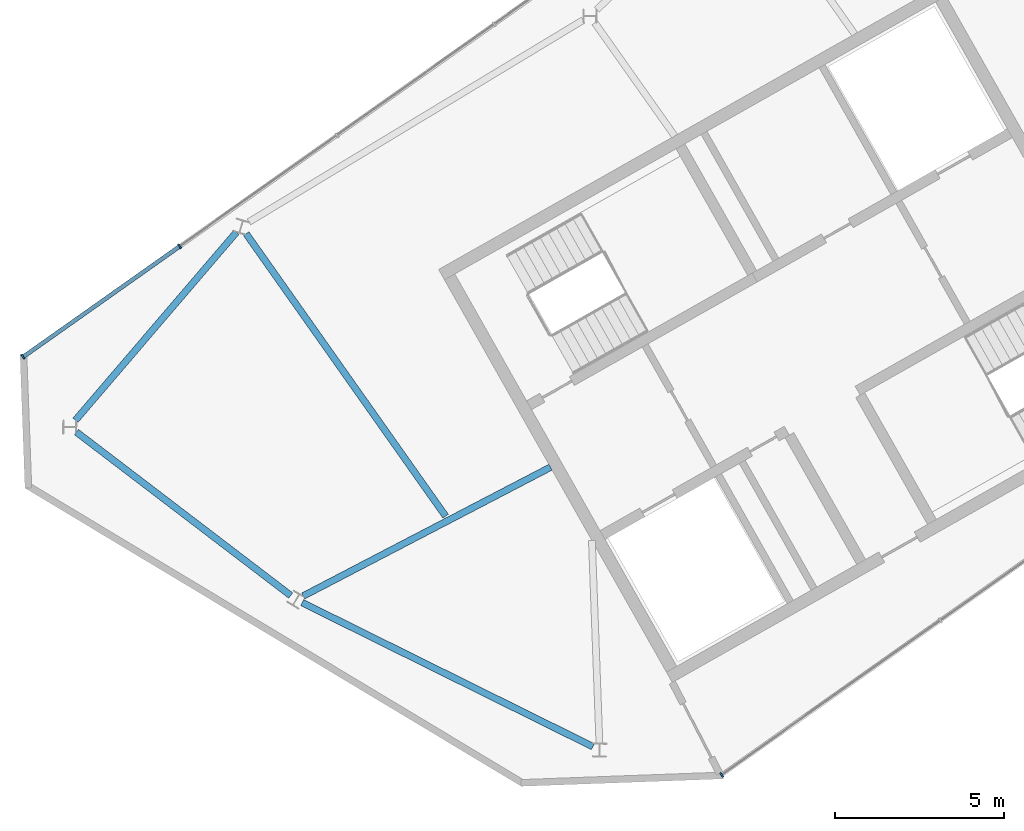
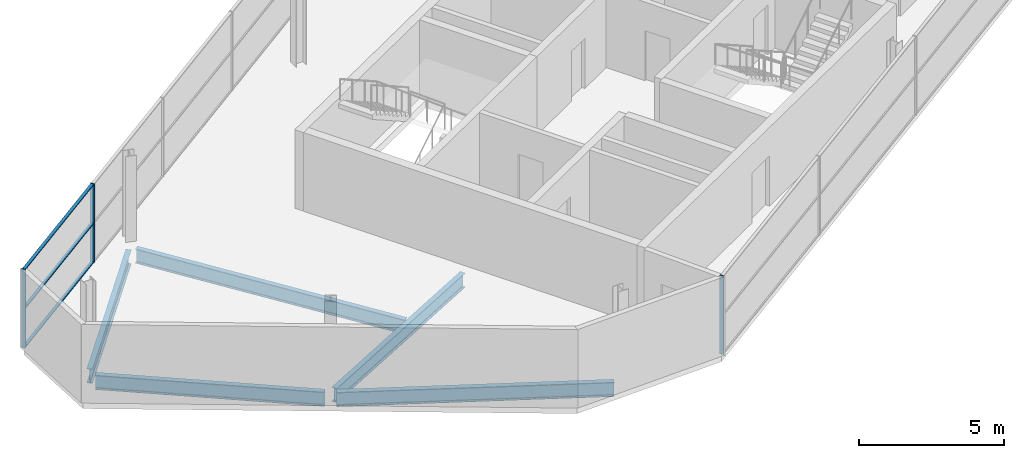
# One storey, part 3 of 10: 6 members, 5 beams, 2 elements without a shape of their own.
"""IFC4 building model written with IfcOpenShell, lengths in metres."""

from ifc_helpers import new_model, si_unit, direction, frame, origin, origin_2d, place, context, subcontext, project, spatial, rectangle, i_section, extrude, material, material_profile, profile_set, type_object, element, aggregate, save


model = new_model("IFC4")

# Units and contexts
model_context = context("Model", 3, precision=1e-05, world=origin(), true_north=direction((0.0, 1.0)))
body_context = subcontext(model_context, "Body", "Model", "MODEL_VIEW")
ifc_project = project(units=[si_unit("LENGTHUNIT", "METRE"), si_unit("AREAUNIT", "SQUARE_METRE"), si_unit("VOLUMEUNIT", "CUBIC_METRE"), si_unit("PLANEANGLEUNIT", "RADIAN"), si_unit("MASSUNIT", "GRAM", prefix="KILO")], contexts=[model_context])

# Site, building, storey
site_placement = place(None, origin())
site = spatial("IfcSite", under=ifc_project, at=site_placement, CompositionType="ELEMENT")
building_placement = place(site_placement, origin())
building = spatial("IfcBuilding", under=site, at=building_placement, Name="Binnacle Exchange Tower", CompositionType="ELEMENT")
storey_placement = place(building_placement, frame((0.0, 0.0, 364.89990234375)))
storey = spatial("IfcBuildingStorey", under=building, at=storey_placement, Name="L84", CompositionType="ELEMENT", Elevation=364.89990234375)

# Curtain wall, members
ifc_material_1 = material(Name="Bronze anodised aluminium frame", Category="aluminium")
curtain_wall_type = type_object("IfcCurtainWallType", Name="External wall - curtain wall crown top", PredefinedType="NOTDEFINED", material=ifc_material_1)
curtain_wall_1_placement = place(storey_placement, origin())
curtain_wall_1 = element("IfcCurtainWall", 1, at=curtain_wall_1_placement, inside=storey, type_object=curtain_wall_type, Name="External wall curtain wall CW6-C303 L84", PredefinedType="NOTDEFINED")
ifc_material_profile_1 = material_profile(ifc_material_1, rectangle(XDim=0.14990234375, YDim=0.050048828125, at=origin_2d()), Name="AL 50x150")
ifc_profile_set_1 = profile_set([ifc_material_profile_1], Name="Bronze anodised aluminium frame")
member_type_1 = type_object("IfcMemberType", Name="CW6 MULLION 50x150", PredefinedType="MULLION", material=ifc_profile_set_1)
member_1_placement = place(storey_placement, frame((-54.24853515625, 42.356201171875, 0.0), z_axis=(0.0, 0.0, 1.0), x_axis=(0.576854127285, -0.816847180221, 0.0)))
member_1 = element("IfcMember", 2, at=member_1_placement, type_object=member_type_1, Name="CW6-C303 mullion 9", PredefinedType="MULLION", context=body_context, shape_type="SweptSolid", body=[
    extrude(rectangle(XDim=0.14990234375, YDim=0.050048828125, at=origin_2d()), origin(), (0.0, 0.0, 1.0), 3.300048828125),
])
member_2_placement = place(storey_placement, frame((-58.86767578125, 39.09423828125, 0.0), z_axis=(0.0, 0.0, 1.0), x_axis=(0.576854127285, -0.816847180221, 0.0)))
member_2 = element("IfcMember", 3, at=member_2_placement, type_object=member_type_1, Name="CW6-C303 mullion 10", PredefinedType="MULLION", context=body_context, shape_type="SweptSolid", body=[
    extrude(rectangle(XDim=0.14990234375, YDim=0.050048828125, at=origin_2d()), origin(), (0.0, 0.0, 1.0), 3.300048828125),
])

# Curtain wall, member
curtain_wall_2_placement = place(storey_placement, origin())
curtain_wall_2 = element("IfcCurtainWall", 4, at=curtain_wall_2_placement, inside=storey, type_object=curtain_wall_type, Name="External wall curtain wall CW6-C307 L84", PredefinedType="NOTDEFINED")
member_3_placement = place(storey_placement, frame((-38.257568359375, 26.76025390625, 0.0), z_axis=(0.0, 0.0, 1.0), x_axis=(-0.576854127285, 0.816847180221, 0.0)))
member_3 = element("IfcMember", 5, at=member_3_placement, type_object=member_type_1, Name="CW6-C307 mullion 1", PredefinedType="MULLION", context=body_context, shape_type="SweptSolid", body=[
    extrude(rectangle(XDim=0.14990234375, YDim=0.050048828125, at=origin_2d()), origin(), (0.0, 0.0, 1.0), 3.300048828125),
])
aggregate(curtain_wall_2, [member_3])

# Member
ifc_material_profile_2 = material_profile(ifc_material_1, rectangle(XDim=0.1201171875, YDim=0.0400390625, at=origin_2d()), Name="AL 120x40")
ifc_profile_set_2 = profile_set([ifc_material_profile_2], Name="Bronze anodised aluminium frame")
member_type_2 = type_object("IfcMemberType", Name="CW6 TRANSOM 40x120", PredefinedType="USERDEFINED", material=ifc_profile_set_2)
member_4_placement = place(storey_placement, frame((-54.26904296875, 42.341796875, 0.02001953125), z_axis=(-0.816838671532, -0.57686617572, 0.0), x_axis=(0.57686617572, -0.816838671532, 0.0)))
member_4 = element("IfcMember", 6, at=member_4_placement, type_object=member_type_2, Name="CW6-C303 transom 9.1", ObjectType="TRANSOM", PredefinedType="USERDEFINED", context=body_context, shape_type="SweptSolid", body=[
    extrude(rectangle(XDim=0.1201171875, YDim=0.0400390625, at=origin_2d()), origin(), (0.0, 0.0, 1.0), 5.604736328125),
])

member_5_placement = place(storey_placement, frame((-54.26904296875, 42.341796875, 1.650146484375), z_axis=(-0.816838671532, -0.57686617572, 0.0), x_axis=(0.57686617572, -0.816838671532, 0.0)))
member_5 = element("IfcMember", 7, at=member_5_placement, type_object=member_type_2, Name="CW6-C303 transom 9.2", ObjectType="TRANSOM", PredefinedType="USERDEFINED", context=body_context, shape_type="SweptSolid", body=[
    extrude(rectangle(XDim=0.1201171875, YDim=0.0400390625, at=origin_2d()), origin(), (0.0, 0.0, 1.0), 5.604736328125),
])

member_6_placement = place(storey_placement, frame((-54.26904296875, 42.341796875, 3.280029296875), z_axis=(-0.816838671532, -0.57686617572, 0.0), x_axis=(0.57686617572, -0.816838671532, 0.0)))
member_6 = element("IfcMember", 8, at=member_6_placement, type_object=member_type_2, Name="CW6-C303 transom 9.3", ObjectType="TRANSOM", PredefinedType="USERDEFINED", context=body_context, shape_type="SweptSolid", body=[
    extrude(rectangle(XDim=0.1201171875, YDim=0.0400390625, at=origin_2d()), origin(), (0.0, 0.0, 1.0), 5.604736328125),
])

aggregate(curtain_wall_1, [member_1, member_2, member_4, member_5, member_6])

# Beams
ifc_material_2 = material(Name="Steel S355 (SHN355)", Category="steel")
ifc_material_profile_3 = material_profile(ifc_material_2, i_section(OverallWidth=0.199951171875, OverallDepth=0.60009765625, WebThickness=0.010986328125, FlangeThickness=0.01708984375, FilletRadius=0.02197265625, at=origin_2d()), Name="H 600x200x11x17")
ifc_profile_set_3 = profile_set([ifc_material_profile_3], Name="Steel S355 (SHN355)")
beam_type_1 = type_object("IfcBeamType", Name="Edge girder H 600x200x11x17 Steel S355 (SHN355)", PredefinedType="SPANDREL", material=ifc_profile_set_3)
beam_1_placement = place(storey_placement, frame((-57.294921875, 36.876220703125, -0.599853515625), z_axis=(0.795084866739, -0.606498190173, 0.0), x_axis=(0.606498190173, 0.795084866739, 0.0)))
element("IfcBeam", 9, at=beam_1_placement, inside=storey, type_object=beam_type_1, Name="S:BM:edge:L84:004", PredefinedType="SPANDREL", context=body_context, shape_type="SweptSolid", body=[
    extrude(i_section(OverallWidth=0.199951171875, OverallDepth=0.60009765625, WebThickness=0.010986328125, FlangeThickness=0.01708984375, FilletRadius=0.02197265625, at=origin_2d()), origin(), (0.0, 0.0, 1.0), 7.95263671875),
])
beam_2_placement = place(storey_placement, frame((-52.5771484375, 42.769775390625, -0.599853515625), z_axis=(-0.650317450045, -0.75966256599, 0.0), x_axis=(0.75966256599, -0.650317450045, 0.0)))
element("IfcBeam", 10, at=beam_2_placement, inside=storey, type_object=beam_type_1, Name="S:BM:edge:L84:005", PredefinedType="SPANDREL", context=body_context, shape_type="SweptSolid", body=[
    extrude(i_section(OverallWidth=0.199951171875, OverallDepth=0.60009765625, WebThickness=0.010986328125, FlangeThickness=0.01708984375, FilletRadius=0.02197265625, at=origin_2d()), origin(), (0.0, 0.0, 1.0), 7.298828125),
])
beam_3_placement = place(storey_placement, frame((-50.632080078125, 31.841796875, -0.599853515625), z_axis=(0.8960639995, -0.443924890944, 0.0), x_axis=(0.443924890944, 0.8960639995, 0.0)))
element("IfcBeam", 11, at=beam_3_placement, inside=storey, type_object=beam_type_1, Name="S:BM:edge:L84:006", PredefinedType="SPANDREL", context=body_context, shape_type="SweptSolid", body=[
    extrude(i_section(OverallWidth=0.199951171875, OverallDepth=0.60009765625, WebThickness=0.010986328125, FlangeThickness=0.01708984375, FilletRadius=0.02197265625, at=origin_2d()), origin(), (0.0, 0.0, 1.0), 9.5703125),
])
ifc_material_profile_4 = material_profile(ifc_material_2, i_section(OverallWidth=0.199951171875, OverallDepth=0.60009765625, WebThickness=0.010986328125, FlangeThickness=0.01708984375, FilletRadius=0.02197265625, at=origin_2d()), Name="H 600x200x11x17")
ifc_profile_set_4 = profile_set([ifc_material_profile_4], Name="Steel S355 (SHN355)")
beam_type_2 = type_object("IfcBeamType", Name="Floor beam H 600x200x11x17 Steel S355 (SHN355)", PredefinedType="BEAM", material=ifc_profile_set_4)
beam_4_placement = place(storey_placement, frame((-52.28759765625, 42.72802734375, -0.599853515625), z_axis=(0.576854175987, -0.816847145827, 0.0), x_axis=(0.816847145827, 0.576854175987, 0.0)))
element("IfcBeam", 12, at=beam_4_placement, inside=storey, type_object=beam_type_2, Name="S:BM:cross:L84:011", PredefinedType="BEAM", context=body_context, shape_type="SweptSolid", body=[
    extrude(i_section(OverallWidth=0.199951171875, OverallDepth=0.60009765625, WebThickness=0.010986328125, FlangeThickness=0.01708984375, FilletRadius=0.02197265625, at=origin_2d()), origin(), (0.0, 0.0, 1.0), 10.202392578125),
])
ifc_material_profile_5 = material_profile(ifc_material_2, i_section(OverallWidth=0.199951171875, OverallDepth=0.60009765625, WebThickness=0.010986328125, FlangeThickness=0.01708984375, FilletRadius=0.02197265625, at=origin_2d()), Name="H 600x200x11x17")
ifc_profile_set_5 = profile_set([ifc_material_profile_5], Name="Steel S355 (SHN355)")
beam_type_3 = type_object("IfcBeamType", Name="Spine girder H 600x200x11x17 Steel S355 (SHN355)", PredefinedType="BEAM", material=ifc_profile_set_5)
beam_5_placement = place(storey_placement, frame((-50.60400390625, 32.039306640625, -0.599853515625), z_axis=(0.886982470593, 0.461803093168, 0.0), x_axis=(-0.461803093168, 0.886982470593, 0.0)))
element("IfcBeam", 13, at=beam_5_placement, inside=storey, type_object=beam_type_3, Name="S:BM:spine:L84:001", PredefinedType="BEAM", context=body_context, shape_type="SweptSolid", body=[
    extrude(i_section(OverallWidth=0.199951171875, OverallDepth=0.60009765625, WebThickness=0.010986328125, FlangeThickness=0.01708984375, FilletRadius=0.02197265625, at=origin_2d()), origin(), (0.0, 0.0, 1.0), 8.22607421875),
])

save(model, "model.ifc")
